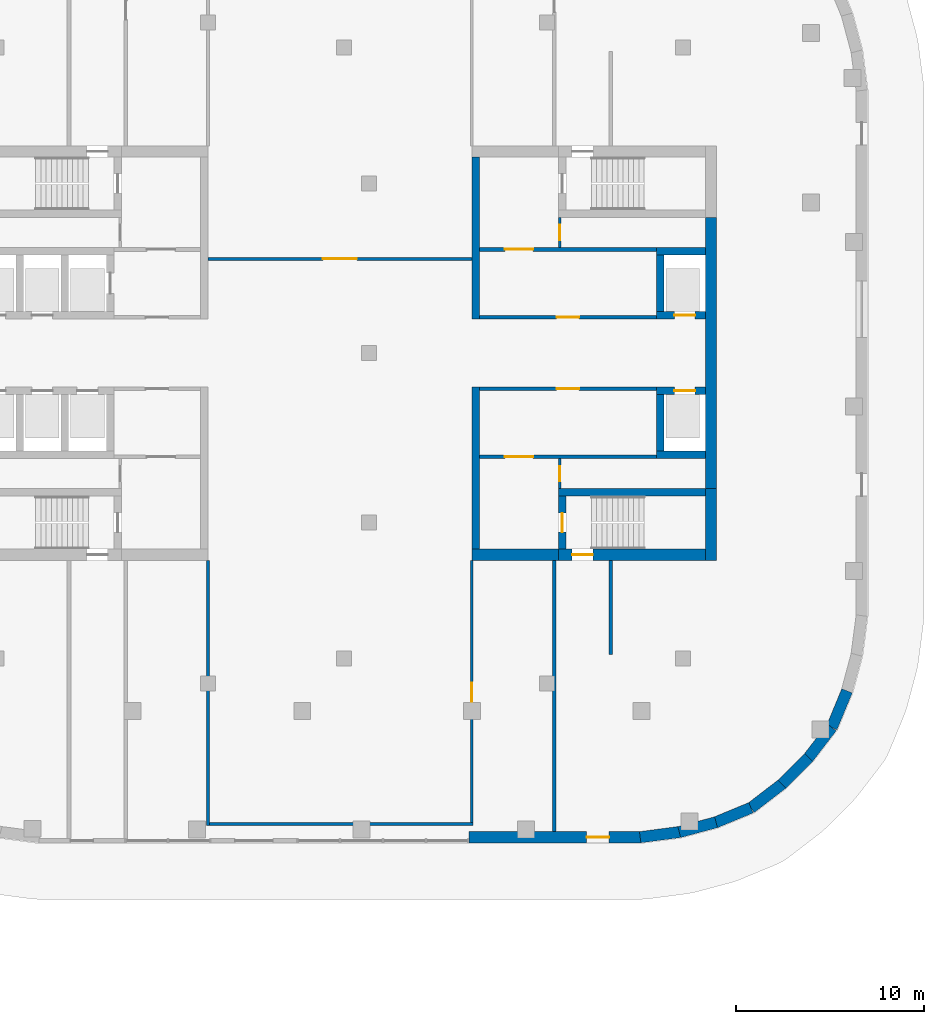
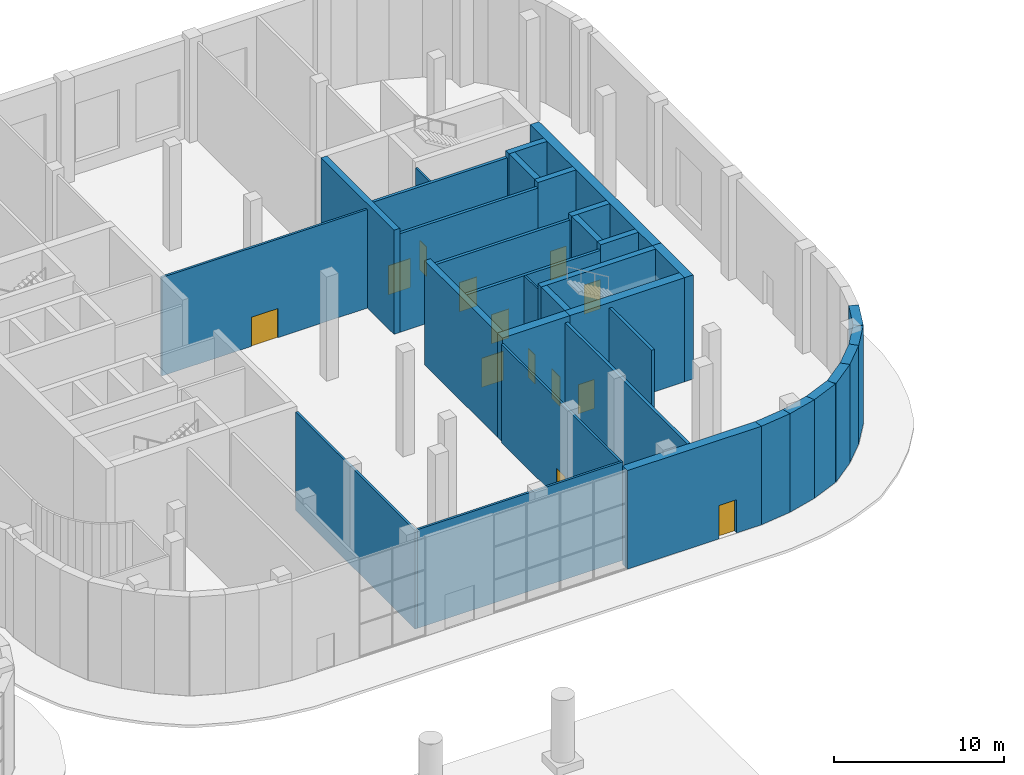
# One storey, part 21 of 30: 34 walls, 13 doors, 13 openings.
"""IFC4 building model written with IfcOpenShell, lengths in metres."""

from ifc_helpers import new_model, si_unit, direction, frame, frame_2d, origin, place, context, subcontext, project, spatial, rectangle, extrude, material, layer, layer_set, type_object, element, fill, save


model = new_model("IFC4")

# Units and contexts
model_context = context("Model", 3, precision=1e-05, world=origin(), true_north=direction((0.0, 1.0)))
body_context = subcontext(model_context, "Body", "Model", "MODEL_VIEW")
ifc_project = project(units=[si_unit("LENGTHUNIT", "METRE"), si_unit("AREAUNIT", "SQUARE_METRE"), si_unit("VOLUMEUNIT", "CUBIC_METRE"), si_unit("PLANEANGLEUNIT", "RADIAN"), si_unit("MASSUNIT", "GRAM", prefix="KILO")], contexts=[model_context])

# Site, building, storey
site_placement = place(None, origin())
site = spatial("IfcSite", under=ifc_project, at=site_placement, CompositionType="ELEMENT")
building_placement = place(site_placement, origin())
building = spatial("IfcBuilding", under=site, at=building_placement, Name="Skarvind Civic Tower", CompositionType="ELEMENT")
storey_placement = place(building_placement, origin())
storey = spatial("IfcBuildingStorey", under=building, at=storey_placement, Name="L00", CompositionType="ELEMENT", Elevation=0.0)

# Wall, opening, door
ifc_material_1 = material(Name="Fire-rated masonry partition", Category="masonry")
ifc_layer_1 = layer(ifc_material_1, 0.199951171875)
ifc_layer_set_1 = layer_set([ifc_layer_1], Name="Core enclosure wall 200")
wall_type_1 = type_object("IfcWallType", Name="Core enclosure wall 200", PredefinedType="PARTITIONING", material=ifc_layer_set_1)
wall_1_placement = place(storey_placement, frame((163.800048828125, 126.10009765625, 0.0), z_axis=(0.0, 0.0, 1.0), x_axis=(-1.0, 0.0, 0.0)))
wall_1 = element("IfcWall", 1, at=wall_1_placement, inside=storey, type_object=wall_type_1, Name="Core wall CB", PredefinedType="PARTITIONING", context=body_context, shape_type="SweptSolid", body=[
    extrude(rectangle(XDim=9.400146484375, YDim=0.199951171875, at=frame_2d((4.7001953125, 0.0))), origin(), (0.0, 0.0, 1.0), 7.10009765625),
])
opening_1_placement = place(wall_1_placement, frame((4.10009765625, 0.0, 0.0)))
opening_1 = element("IfcOpeningElement", 2, at=opening_1_placement, cuts=wall_1, Name="Opening D-L00-CB-03", PredefinedType="OPENING", context=body_context, shape_type="SweptSolid", body=[
    extrude(rectangle(XDim=1.199951171875, YDim=2.10009765625, at=frame_2d((0.60009765625, 1.050048828125))), frame((0.0, 0.10986328125, 0.0), z_axis=(0.0, -1.0, 0.0), x_axis=(1.0, 0.0, 0.0)), (0.0, 0.0, 1.0), 0.219970703125),
])
ifc_material_2 = material(Name="Fire-rated steel door", Category="steel")
door_type_1 = type_object("IfcDoorType", Name="Core lobby door 1200", OperationType="NOTDEFINED", PredefinedType="DOOR", material=ifc_material_2)
door_1_placement = place(opening_1_placement, origin())
door_1 = element("IfcDoor", 3, at=door_1_placement, inside=storey, type_object=door_type_1, Name="Fire door", OperationType="DOUBLE_DOOR_SINGLE_SWING", OverallHeight=2.10009765625, OverallWidth=1.199951171875, PredefinedType="DOOR", context=body_context, shape_type="SweptSolid", body=[
    extrude(rectangle(XDim=1.199951171875, YDim=2.10009765625, at=frame_2d((0.60009765625, 1.050048828125))), frame((0.0, 0.02490234375, 0.0), z_axis=(0.0, -1.0, 0.0), x_axis=(1.0, 0.0, 0.0)), (0.0, 0.0, 1.0), 0.050048828125),
])
fill(opening_1, door_1)

wall_2_placement = place(storey_placement, frame((163.800048828125, 122.5, 0.0), z_axis=(0.0, 0.0, 1.0), x_axis=(-1.0, 0.0, 0.0)))
wall_2 = element("IfcWall", 4, at=wall_2_placement, inside=storey, type_object=wall_type_1, Name="Core wall CB", PredefinedType="PARTITIONING", context=body_context, shape_type="SweptSolid", body=[
    extrude(rectangle(XDim=9.400146484375, YDim=0.199951171875, at=frame_2d((4.7001953125, 0.0))), origin(), (0.0, 0.0, 1.0), 7.10009765625),
])
opening_2_placement = place(wall_2_placement, frame((6.550048828125, 0.0, 0.0)))
opening_2 = element("IfcOpeningElement", 5, at=opening_2_placement, cuts=wall_2, Name="Opening D-L00-CB-04", PredefinedType="OPENING", context=body_context, shape_type="SweptSolid", body=[
    extrude(rectangle(XDim=1.5, YDim=2.10009765625, at=frame_2d((0.75, 1.050048828125))), frame((0.0, 0.10986328125, 0.0), z_axis=(0.0, -1.0, 0.0), x_axis=(1.0, 0.0, 0.0)), (0.0, 0.0, 1.0), 0.219970703125),
])
door_type_2 = type_object("IfcDoorType", Name="Fire door 1500", OperationType="NOTDEFINED", PredefinedType="DOOR", material=ifc_material_2)
door_2_placement = place(opening_2_placement, origin())
door_2 = element("IfcDoor", 6, at=door_2_placement, inside=storey, type_object=door_type_2, Name="Fire door", OperationType="DOUBLE_DOOR_SINGLE_SWING", OverallHeight=2.10009765625, OverallWidth=1.5, PredefinedType="DOOR", context=body_context, shape_type="SweptSolid", body=[
    extrude(rectangle(XDim=1.5, YDim=2.10009765625, at=frame_2d((0.75, 1.050048828125))), frame((0.0, 0.02490234375, 0.0), z_axis=(0.0, -1.0, 0.0), x_axis=(1.0, 0.0, 0.0)), (0.0, 0.0, 1.0), 0.050048828125),
])
fill(opening_2, door_2)

wall_3_placement = place(storey_placement, frame((154.39990234375, 129.89990234375, 0.0), z_axis=(0.0, 0.0, 1.0), x_axis=(1.0, 0.0, 0.0)))
wall_3 = element("IfcWall", 7, at=wall_3_placement, inside=storey, type_object=wall_type_1, Name="Core wall CB", PredefinedType="PARTITIONING", context=body_context, shape_type="SweptSolid", body=[
    extrude(rectangle(XDim=9.400146484375, YDim=0.199951171875, at=frame_2d((4.7001953125, 0.0))), origin(), (0.0, 0.0, 1.0), 7.10009765625),
])
opening_3_placement = place(wall_3_placement, frame((4.10009765625, 0.0, 0.0)))
opening_3 = element("IfcOpeningElement", 8, at=opening_3_placement, cuts=wall_3, Name="Opening D-L00-CB-07", PredefinedType="OPENING", context=body_context, shape_type="SweptSolid", body=[
    extrude(rectangle(XDim=1.199951171875, YDim=2.10009765625, at=frame_2d((0.60009765625, 1.050048828125))), frame((0.0, 0.10986328125, 0.0), z_axis=(0.0, -1.0, 0.0), x_axis=(1.0, 0.0, 0.0)), (0.0, 0.0, 1.0), 0.219970703125),
])
door_3_placement = place(opening_3_placement, origin())
door_3 = element("IfcDoor", 9, at=door_3_placement, inside=storey, type_object=door_type_1, Name="Fire door", OperationType="DOUBLE_DOOR_SINGLE_SWING", OverallHeight=2.10009765625, OverallWidth=1.199951171875, PredefinedType="DOOR", context=body_context, shape_type="SweptSolid", body=[
    extrude(rectangle(XDim=1.199951171875, YDim=2.10009765625, at=frame_2d((0.60009765625, 1.050048828125))), frame((0.0, 0.02490234375, 0.0), z_axis=(0.0, -1.0, 0.0), x_axis=(1.0, 0.0, 0.0)), (0.0, 0.0, 1.0), 0.050048828125),
])
fill(opening_3, door_3)

wall_4_placement = place(storey_placement, frame((154.39990234375, 133.5, 0.0), z_axis=(0.0, 0.0, 1.0), x_axis=(1.0, 0.0, 0.0)))
wall_4 = element("IfcWall", 10, at=wall_4_placement, inside=storey, type_object=wall_type_1, Name="Core wall CB", PredefinedType="PARTITIONING", context=body_context, shape_type="SweptSolid", body=[
    extrude(rectangle(XDim=9.400146484375, YDim=0.199951171875, at=frame_2d((4.7001953125, 0.0))), origin(), (0.0, 0.0, 1.0), 7.10009765625),
])
opening_4_placement = place(wall_4_placement, frame((1.35009765625, 0.0, 0.0)))
opening_4 = element("IfcOpeningElement", 11, at=opening_4_placement, cuts=wall_4, Name="Opening D-L00-CB-08", PredefinedType="OPENING", context=body_context, shape_type="SweptSolid", body=[
    extrude(rectangle(XDim=1.5, YDim=2.10009765625, at=frame_2d((0.75, 1.050048828125))), frame((0.0, 0.10986328125, 0.0), z_axis=(0.0, -1.0, 0.0), x_axis=(1.0, 0.0, 0.0)), (0.0, 0.0, 1.0), 0.219970703125),
])
door_4_placement = place(opening_4_placement, origin())
door_4 = element("IfcDoor", 12, at=door_4_placement, inside=storey, type_object=door_type_2, Name="Fire door", OperationType="DOUBLE_DOOR_SINGLE_SWING", OverallHeight=2.10009765625, OverallWidth=1.5, PredefinedType="DOOR", context=body_context, shape_type="SweptSolid", body=[
    extrude(rectangle(XDim=1.5, YDim=2.10009765625, at=frame_2d((0.75, 1.050048828125))), frame((0.0, 0.02490234375, 0.0), z_axis=(0.0, -1.0, 0.0), x_axis=(1.0, 0.0, 0.0)), (0.0, 0.0, 1.0), 0.050048828125),
])
fill(opening_4, door_4)

# Wall
ifc_material_3 = material(Name="Concrete C80", Category="concrete")
ifc_layer_2 = layer(ifc_material_3, 0.39990234375)
ifc_layer_set_2 = layer_set([ifc_layer_2], Name="Core wall 400 C80")
wall_type_2 = type_object("IfcWallType", Name="Core wall 400 C80", PredefinedType="SHEAR", material=ifc_layer_set_2)
wall_5_placement = place(storey_placement, frame((166.39990234375, 120.60009765625, 0.0), z_axis=(0.0, 0.0, 1.0), x_axis=(-1.0, 0.0, 0.0)))
element("IfcWall", 13, at=wall_5_placement, inside=storey, type_object=wall_type_2, Name="Core wall CB north stair inner L00", PredefinedType="SHEAR", context=body_context, shape_type="SweptSolid", body=[
    extrude(rectangle(XDim=7.7998046875, YDim=0.39990234375, at=frame_2d((3.89990234375, 0.0))), origin(), (0.0, 0.0, 1.0), 7.5),
])

# Wall, opening, door
wall_6_placement = place(storey_placement, frame((158.800048828125, 120.39990234375, 0.0), z_axis=(0.0, 0.0, 1.0), x_axis=(0.0, -1.0, 0.0)))
wall_6 = element("IfcWall", 14, at=wall_6_placement, inside=storey, type_object=wall_type_2, Name="Core wall CB north stair end L00", PredefinedType="SHEAR", context=body_context, shape_type="SweptSolid", body=[
    extrude(rectangle(XDim=2.7998046875, YDim=0.39990234375, at=frame_2d((1.39990234375, 0.0))), origin(), (0.0, 0.0, 1.0), 7.5),
])
opening_5_placement = place(wall_6_placement, frame((0.89990234375, 0.0, 0.0)))
opening_5 = element("IfcOpeningElement", 15, at=opening_5_placement, cuts=wall_6, Name="Opening D-L00-CB-05", PredefinedType="OPENING", context=body_context, shape_type="SweptSolid", body=[
    extrude(rectangle(XDim=1.0, YDim=2.10009765625, at=frame_2d((0.5, 1.050048828125))), frame((0.0, 0.2099609375, 0.0), z_axis=(0.0, -1.0, 0.0), x_axis=(1.0, 0.0, 0.0)), (0.0, 0.0, 1.0), 0.419921875),
])
door_type_3 = type_object("IfcDoorType", Name="Fire door 1000", OperationType="NOTDEFINED", PredefinedType="DOOR", material=ifc_material_2)
door_5_placement = place(opening_5_placement, origin())
door_5 = element("IfcDoor", 16, at=door_5_placement, inside=storey, type_object=door_type_3, Name="Fire door", OperationType="SINGLE_SWING_LEFT", OverallHeight=2.10009765625, OverallWidth=1.0, PredefinedType="DOOR", context=body_context, shape_type="SweptSolid", body=[
    extrude(rectangle(XDim=1.0, YDim=2.10009765625, at=frame_2d((0.5, 1.050048828125))), frame((0.0, 0.02490234375, 0.0), z_axis=(0.0, -1.0, 0.0), x_axis=(1.0, 0.0, 0.0)), (0.0, 0.0, 1.0), 0.050048828125),
])
fill(opening_5, door_5)

wall_7_placement = place(storey_placement, frame((166.39990234375, 130.0, 0.0), z_axis=(0.0, 0.0, 1.0), x_axis=(-1.0, 0.0, 0.0)))
wall_7 = element("IfcWall", 17, at=wall_7_placement, inside=storey, type_object=wall_type_2, Name="Core wall CB south lift row front L00", PredefinedType="SHEAR", context=body_context, shape_type="SweptSolid", body=[
    extrude(rectangle(XDim=2.599853515625, YDim=0.39990234375, at=frame_2d((1.2998046875, 0.0))), origin(), (0.0, 0.0, 1.0), 7.5),
])
opening_6_placement = place(wall_7_placement, frame((0.550048828125, 0.0, 0.0)))
opening_6 = element("IfcOpeningElement", 18, at=opening_6_placement, cuts=wall_7, Name="Opening LD02402", PredefinedType="OPENING", context=body_context, shape_type="SweptSolid", body=[
    extrude(rectangle(XDim=1.10009765625, YDim=2.10009765625, at=frame_2d((0.550048828125, 1.050048828125))), frame((0.0, 0.2099609375, 0.0), z_axis=(0.0, -1.0, 0.0), x_axis=(1.0, 0.0, 0.0)), (0.0, 0.0, 1.0), 0.419921875),
])
ifc_material_4 = material(Name="Stainless steel landing door", Category="steel")
door_type_4 = type_object("IfcDoorType", Name="Lift landing door 1100", OperationType="DOUBLE_DOOR_SLIDING", PredefinedType="DOOR", material=ifc_material_4)
door_6_placement = place(opening_6_placement, origin())
door_6 = element("IfcDoor", 19, at=door_6_placement, inside=storey, type_object=door_type_4, Name="Lift landing door", OperationType="DOUBLE_DOOR_SLIDING", OverallHeight=2.10009765625, OverallWidth=1.10009765625, PredefinedType="DOOR", context=body_context, shape_type="SweptSolid", body=[
    extrude(rectangle(XDim=1.10009765625, YDim=2.10009765625, at=frame_2d((0.550048828125, 1.050048828125))), frame((0.0, 0.02490234375, 0.0), z_axis=(0.0, -1.0, 0.0), x_axis=(1.0, 0.0, 0.0)), (0.0, 0.0, 1.0), 0.050048828125),
])
fill(opening_6, door_6)

# Walls
wall_8_placement = place(storey_placement, frame((166.39990234375, 133.39990234375, 0.0), z_axis=(0.0, 0.0, 1.0), x_axis=(-1.0, 0.0, 0.0)))
element("IfcWall", 20, at=wall_8_placement, inside=storey, type_object=wall_type_2, Name="Core wall CB south lift row back L00", PredefinedType="SHEAR", context=body_context, shape_type="SweptSolid", body=[
    extrude(rectangle(XDim=2.599853515625, YDim=0.39990234375, at=frame_2d((1.2998046875, 0.0))), origin(), (0.0, 0.0, 1.0), 7.5),
])
wall_9_placement = place(storey_placement, frame((164.0, 133.199951171875, 0.0), z_axis=(0.0, 0.0, 1.0), x_axis=(0.0, -1.0, 0.0)))
element("IfcWall", 21, at=wall_9_placement, inside=storey, type_object=wall_type_2, Name="Core wall CB south lift row division 1 L00", PredefinedType="SHEAR", context=body_context, shape_type="SweptSolid", body=[
    extrude(rectangle(XDim=3.0, YDim=0.39990234375, at=frame_2d((1.5, 0.0))), origin(), (0.0, 0.0, 1.0), 7.5),
])

# Wall, opening, door
wall_10_placement = place(storey_placement, frame((166.39990234375, 126.0, 0.0), z_axis=(0.0, 0.0, 1.0), x_axis=(-1.0, 0.0, 0.0)))
wall_10 = element("IfcWall", 22, at=wall_10_placement, inside=storey, type_object=wall_type_2, Name="Core wall CB north lift row front L00", PredefinedType="SHEAR", context=body_context, shape_type="SweptSolid", body=[
    extrude(rectangle(XDim=2.599853515625, YDim=0.39990234375, at=frame_2d((1.2998046875, 0.0))), origin(), (0.0, 0.0, 1.0), 7.5),
])
opening_7_placement = place(wall_10_placement, frame((0.550048828125, 0.0, 0.0)))
opening_7 = element("IfcOpeningElement", 23, at=opening_7_placement, cuts=wall_10, Name="Opening LD02401", PredefinedType="OPENING", context=body_context, shape_type="SweptSolid", body=[
    extrude(rectangle(XDim=1.10009765625, YDim=2.10009765625, at=frame_2d((0.550048828125, 1.050048828125))), frame((0.0, 0.2099609375, 0.0), z_axis=(0.0, -1.0, 0.0), x_axis=(1.0, 0.0, 0.0)), (0.0, 0.0, 1.0), 0.419921875),
])
door_7_placement = place(opening_7_placement, origin())
door_7 = element("IfcDoor", 24, at=door_7_placement, inside=storey, type_object=door_type_4, Name="Lift landing door", OperationType="DOUBLE_DOOR_SLIDING", OverallHeight=2.10009765625, OverallWidth=1.10009765625, PredefinedType="DOOR", context=body_context, shape_type="SweptSolid", body=[
    extrude(rectangle(XDim=1.10009765625, YDim=2.10009765625, at=frame_2d((0.550048828125, 1.050048828125))), frame((0.0, 0.02490234375, 0.0), z_axis=(0.0, -1.0, 0.0), x_axis=(1.0, 0.0, 0.0)), (0.0, 0.0, 1.0), 0.050048828125),
])
fill(opening_7, door_7)

# Walls
wall_11_placement = place(storey_placement, frame((166.39990234375, 122.60009765625, 0.0), z_axis=(0.0, 0.0, 1.0), x_axis=(-1.0, 0.0, 0.0)))
element("IfcWall", 25, at=wall_11_placement, inside=storey, type_object=wall_type_2, Name="Core wall CB north lift row back L00", PredefinedType="SHEAR", context=body_context, shape_type="SweptSolid", body=[
    extrude(rectangle(XDim=2.599853515625, YDim=0.39990234375, at=frame_2d((1.2998046875, 0.0))), origin(), (0.0, 0.0, 1.0), 7.5),
])
wall_12_placement = place(storey_placement, frame((164.0, 125.800048828125, 0.0), z_axis=(0.0, 0.0, 1.0), x_axis=(0.0, -1.0, 0.0)))
element("IfcWall", 26, at=wall_12_placement, inside=storey, type_object=wall_type_2, Name="Core wall CB north lift row division 1 L00", PredefinedType="SHEAR", context=body_context, shape_type="SweptSolid", body=[
    extrude(rectangle(XDim=3.0, YDim=0.39990234375, at=frame_2d((1.5, 0.0))), origin(), (0.0, 0.0, 1.0), 7.5),
])
for number, where, z_axis, x_axis, name in (
    (27, (154.199951171875, 138.39990234375, 0.0), (0.0, 0.0, 1.0), (0.0, -1.0, 0.0), "Core wall CB south inner face L00"),
    (28, (154.199951171875, 126.199951171875, 0.0), (0.0, 0.0, 1.0), (0.0, -1.0, 0.0), "Core wall CB north inner face L00"),
):
    element("IfcWall", number, at=place(storey_placement, frame(where, z_axis=z_axis, x_axis=x_axis)), inside=storey, type_object=wall_type_2, Name=name, PredefinedType="SHEAR", context=body_context, shape_type="SweptSolid", body=[
        extrude(rectangle(XDim=8.599853515625, YDim=0.39990234375, at=frame_2d((4.2998046875, 0.0))), origin(), (0.0, 0.0, 1.0), 7.5),
    ])
ifc_layer_3 = layer(ifc_material_3, 0.60009765625)
ifc_layer_set_3 = layer_set([ifc_layer_3], Name="Core wall 600 C80")
wall_type_3 = type_object("IfcWallType", Name="Core wall 600 C80", PredefinedType="SHEAR", material=ifc_layer_set_3)
wall_13_placement = place(storey_placement, frame((166.699951171875, 135.199951171875, 0.0), z_axis=(0.0, 0.0, 1.0), x_axis=(0.0, -1.0, 0.0)))
element("IfcWall", 29, at=wall_13_placement, inside=storey, type_object=wall_type_3, Name="Core wall CB tip between the stairs L00", PredefinedType="SHEAR", context=body_context, shape_type="SweptSolid", body=[
    extrude(rectangle(XDim=14.39990234375, YDim=0.60009765625, at=frame_2d((7.199951171875, 0.0))), origin(), (0.0, 0.0, 1.0), 7.5),
])
wall_14_placement = place(storey_placement, frame((166.699951171875, 120.800048828125, 0.0), z_axis=(0.0, 0.0, 1.0), x_axis=(0.0, -1.0, 0.0)))
element("IfcWall", 30, at=wall_14_placement, inside=storey, type_object=wall_type_3, Name="Core wall CB tip at the north stair L00", PredefinedType="SHEAR", context=body_context, shape_type="SweptSolid", body=[
    extrude(rectangle(XDim=3.800048828125, YDim=0.60009765625, at=frame_2d((1.89990234375, 0.0))), origin(), (0.0, 0.0, 1.0), 7.5),
])

# Wall, opening, door
wall_15_placement = place(storey_placement, frame((166.39990234375, 117.300048828125, 0.0), z_axis=(0.0, 0.0, 1.0), x_axis=(-1.0, 0.0, 0.0)))
wall_15 = element("IfcWall", 31, at=wall_15_placement, inside=storey, type_object=wall_type_3, Name="Core wall CB north side at the stair L00", PredefinedType="SHEAR", context=body_context, shape_type="SweptSolid", body=[
    extrude(rectangle(XDim=7.7998046875, YDim=0.60009765625, at=frame_2d((3.89990234375, 0.0))), origin(), (0.0, 0.0, 1.0), 7.5),
])
opening_8_placement = place(wall_15_placement, frame((5.97509765625, 0.0, 0.0)))
opening_8 = element("IfcOpeningElement", 32, at=opening_8_placement, cuts=wall_15, Name="Opening D-L00-CB-12", PredefinedType="OPENING", context=body_context, shape_type="SweptSolid", body=[
    extrude(rectangle(XDim=1.10009765625, YDim=2.10009765625, at=frame_2d((0.550048828125, 1.050048828125))), frame((0.0, 0.31005859375, 0.0), z_axis=(0.0, -1.0, 0.0), x_axis=(1.0, 0.0, 0.0)), (0.0, 0.0, 1.0), 0.6201171875),
])
door_type_5 = type_object("IfcDoorType", Name="Fire door 1100", OperationType="NOTDEFINED", PredefinedType="DOOR", material=ifc_material_2)
door_8_placement = place(opening_8_placement, origin())
door_8 = element("IfcDoor", 33, at=door_8_placement, inside=storey, type_object=door_type_5, Name="Stair exit door", OperationType="SINGLE_SWING_LEFT", OverallHeight=2.10009765625, OverallWidth=1.10009765625, PredefinedType="DOOR", context=body_context, shape_type="SweptSolid", body=[
    extrude(rectangle(XDim=1.10009765625, YDim=2.10009765625, at=frame_2d((0.550048828125, 1.050048828125))), frame((0.0, 0.02490234375, 0.0), z_axis=(0.0, -1.0, 0.0), x_axis=(1.0, 0.0, 0.0)), (0.0, 0.0, 1.0), 0.050048828125),
])
fill(opening_8, door_8)

# Walls
wall_16_placement = place(storey_placement, frame((158.60009765625, 117.300048828125, 0.0), z_axis=(0.0, 0.0, 1.0), x_axis=(-1.0, 0.0, 0.0)))
element("IfcWall", 34, at=wall_16_placement, inside=storey, type_object=wall_type_3, Name="Core wall CB north side L00", PredefinedType="SHEAR", context=body_context, shape_type="SweptSolid", body=[
    extrude(rectangle(XDim=4.60009765625, YDim=0.60009765625, at=frame_2d((2.300048828125, 0.0))), origin(), (0.0, 0.0, 1.0), 7.5),
])
ifc_material_5 = material(Name="Fire-rated blockwork wall, plastered", Category="masonry")
ifc_layer_4 = layer(ifc_material_5, 0.199951171875)
ifc_layer_set_4 = layer_set([ifc_layer_4], Name="FIRE WALL 200 EI 120")
wall_type_4 = type_object("IfcWallType", Name="FIRE WALL 200 EI 120", PredefinedType="PARTITIONING", material=ifc_layer_set_4)
wall_17_placement = place(storey_placement, frame((158.375, 102.60009765625, 0.0), z_axis=(0.0, 0.0, 1.0), x_axis=(0.0, 1.0, 0.0)))
element("IfcWall", 35, at=wall_17_placement, inside=storey, type_object=wall_type_4, Name="Podium partition L00 213", PredefinedType="PARTITIONING", context=body_context, shape_type="SweptSolid", body=[
    extrude(rectangle(XDim=14.39990234375, YDim=0.199951171875, at=frame_2d((7.199951171875, 0.0))), origin(), (0.0, 0.0, 1.0), 7.10009765625),
])
wall_18_placement = place(storey_placement, frame((161.375, 112.0, 0.0), z_axis=(0.0, 0.0, 1.0), x_axis=(0.0, 1.0, 0.0)))
element("IfcWall", 36, at=wall_18_placement, inside=storey, type_object=wall_type_4, Name="Podium partition L00 215", PredefinedType="PARTITIONING", context=body_context, shape_type="SweptSolid", body=[
    extrude(rectangle(XDim=5.0, YDim=0.199951171875, at=frame_2d((2.5, 0.0))), origin(), (0.0, 0.0, 1.0), 7.10009765625),
])
ifc_material_6 = material(Name="Plasterboard partition on steel studs", Category="steel")
ifc_layer_5 = layer(ifc_material_6, 0.14990234375)
ifc_layer_set_5 = layer_set([ifc_layer_5], Name="PARTITION 150")
wall_type_5 = type_object("IfcWallType", Name="PARTITION 150", PredefinedType="PARTITIONING", material=ifc_layer_set_5)
wall_19_placement = place(storey_placement, frame((140.0, 102.925048828125, 0.0), z_axis=(0.0, 0.0, 1.0), x_axis=(0.0, 1.0, 0.0)))
element("IfcWall", 37, at=wall_19_placement, inside=storey, type_object=wall_type_5, Name="Podium partition L00 207", PredefinedType="PARTITIONING", context=body_context, shape_type="SweptSolid", body=[
    extrude(rectangle(XDim=14.074951171875, YDim=0.14990234375, at=frame_2d((7.03759765625, 0.0))), origin(), (0.0, 0.0, 1.0), 7.10009765625),
])
wall_20_placement = place(storey_placement, frame((140.074951171875, 103.0, 0.0), z_axis=(0.0, 0.0, 1.0), x_axis=(1.0, 0.0, 0.0)))
element("IfcWall", 38, at=wall_20_placement, inside=storey, type_object=wall_type_5, Name="Podium partition L00 208", PredefinedType="PARTITIONING", context=body_context, shape_type="SweptSolid", body=[
    extrude(rectangle(XDim=14.0, YDim=0.14990234375, at=frame_2d((7.0, 0.0))), origin(), (0.0, 0.0, 1.0), 7.10009765625),
])

# Wall, opening, door
wall_21_placement = place(storey_placement, frame((140.0, 133.0, 0.0), z_axis=(0.0, 0.0, 1.0), x_axis=(1.0, 0.0, 0.0)))
wall_21 = element("IfcWall", 39, at=wall_21_placement, inside=storey, type_object=wall_type_5, Name="Podium partition L00 209", PredefinedType="PARTITIONING", context=body_context, shape_type="SweptSolid", body=[
    extrude(rectangle(XDim=14.0, YDim=0.14990234375, at=frame_2d((7.0, 0.0))), origin(), (0.0, 0.0, 1.0), 7.10009765625),
])
opening_9_placement = place(wall_21_placement, frame((6.10009765625, 0.0, 0.0)))
opening_9 = element("IfcOpeningElement", 40, at=opening_9_placement, cuts=wall_21, Name="Opening L00-D234", PredefinedType="OPENING", context=body_context, shape_type="SweptSolid", body=[
    extrude(rectangle(XDim=1.800048828125, YDim=2.10009765625, at=frame_2d((0.89990234375, 1.050048828125))), frame((0.0, 0.0849609375, 0.0), z_axis=(0.0, -1.0, 0.0), x_axis=(1.0, 0.0, 0.0)), (0.0, 0.0, 1.0), 0.169921875),
])
ifc_material_7 = material(Name="Timber veneer door leaf", Category="wood")
door_type_6 = type_object("IfcDoorType", Name="DOOR 1800X2100 DOUBLE TIMBER", OperationType="NOTDEFINED", PredefinedType="DOOR", material=ifc_material_7)
door_9_placement = place(opening_9_placement, origin())
door_9 = element("IfcDoor", 41, at=door_9_placement, inside=storey, type_object=door_type_6, Name="DOOR DOOR", OperationType="DOUBLE_DOOR_SINGLE_SWING", OverallHeight=2.10009765625, OverallWidth=1.800048828125, PredefinedType="DOOR", context=body_context, shape_type="SweptSolid", body=[
    extrude(rectangle(XDim=1.800048828125, YDim=2.10009765625, at=frame_2d((0.89990234375, 1.050048828125))), frame((0.0, 0.02490234375, 0.0), z_axis=(0.0, -1.0, 0.0), x_axis=(1.0, 0.0, 0.0)), (0.0, 0.0, 1.0), 0.050048828125),
])
fill(opening_9, door_9)

wall_22_placement = place(storey_placement, frame((154.0, 117.0, 0.0), z_axis=(0.0, 0.0, 1.0), x_axis=(0.0, -1.0, 0.0)))
wall_22 = element("IfcWall", 42, at=wall_22_placement, inside=storey, type_object=wall_type_5, Name="Podium partition L00 211", PredefinedType="PARTITIONING", context=body_context, shape_type="SweptSolid", body=[
    extrude(rectangle(XDim=13.925048828125, YDim=0.14990234375, at=frame_2d((6.96240234375, 0.0))), origin(), (0.0, 0.0, 1.0), 7.10009765625),
])
opening_10_placement = place(wall_22_placement, frame((6.5, 0.0, 0.0)))
opening_10 = element("IfcOpeningElement", 43, at=opening_10_placement, cuts=wall_22, Name="Opening L00-D235", PredefinedType="OPENING", context=body_context, shape_type="SweptSolid", body=[
    extrude(rectangle(XDim=1.0, YDim=2.10009765625, at=frame_2d((0.5, 1.050048828125))), frame((0.0, 0.0849609375, 0.0), z_axis=(0.0, -1.0, 0.0), x_axis=(1.0, 0.0, 0.0)), (0.0, 0.0, 1.0), 0.169921875),
])
door_type_7 = type_object("IfcDoorType", Name="DOOR 1000X2100 TIMBER", OperationType="NOTDEFINED", PredefinedType="DOOR", material=ifc_material_7)
door_10_placement = place(opening_10_placement, origin())
door_10 = element("IfcDoor", 44, at=door_10_placement, inside=storey, type_object=door_type_7, Name="DOOR DOOR", OperationType="SINGLE_SWING_RIGHT", OverallHeight=2.10009765625, OverallWidth=1.0, PredefinedType="DOOR", context=body_context, shape_type="SweptSolid", body=[
    extrude(rectangle(XDim=1.0, YDim=2.10009765625, at=frame_2d((0.5, 1.050048828125))), frame((0.0, 0.02490234375, 0.0), z_axis=(0.0, -1.0, 0.0), x_axis=(1.0, 0.0, 0.0)), (0.0, 0.0, 1.0), 0.050048828125),
])
fill(opening_10, door_10)

ifc_layer_6 = layer(ifc_material_1, 0.125)
ifc_layer_set_6 = layer_set([ifc_layer_6], Name="Riser wall 125")
wall_type_6 = type_object("IfcWallType", Name="Riser wall 125", PredefinedType="PARTITIONING", material=ifc_layer_set_6)
wall_23_placement = place(storey_placement, frame((158.66259765625, 120.800048828125, 0.0), z_axis=(0.0, 0.0, 1.0), x_axis=(0.0, 1.0, 0.0)))
wall_23 = element("IfcWall", 45, at=wall_23_placement, inside=storey, type_object=wall_type_6, Name="Core wall CB", PredefinedType="PARTITIONING", context=body_context, shape_type="SweptSolid", body=[
    extrude(rectangle(XDim=1.599853515625, YDim=0.125, at=frame_2d((0.7998046875, 0.0))), origin(), (0.0, 0.0, 1.0), 7.10009765625),
])
opening_11_placement = place(wall_23_placement, frame((0.39990234375, 0.0, 0.0)))
opening_11 = element("IfcOpeningElement", 46, at=opening_11_placement, cuts=wall_23, Name="Opening D-L00-CB-06", PredefinedType="OPENING", context=body_context, shape_type="SweptSolid", body=[
    extrude(rectangle(XDim=0.800048828125, YDim=2.10009765625, at=frame_2d((0.39990234375, 1.050048828125))), frame((0.0, 0.072509765625, 0.0), z_axis=(0.0, -1.0, 0.0), x_axis=(1.0, 0.0, 0.0)), (0.0, 0.0, 1.0), 0.14501953125),
])
door_type_8 = type_object("IfcDoorType", Name="Core riser door 800", OperationType="NOTDEFINED", PredefinedType="DOOR", material=ifc_material_2)
door_11_placement = place(opening_11_placement, origin())
door_11 = element("IfcDoor", 47, at=door_11_placement, inside=storey, type_object=door_type_8, Name="Riser door", OperationType="SINGLE_SWING_RIGHT", OverallHeight=2.10009765625, OverallWidth=0.800048828125, PredefinedType="DOOR", context=body_context, shape_type="SweptSolid", body=[
    extrude(rectangle(XDim=0.800048828125, YDim=2.10009765625, at=frame_2d((0.39990234375, 1.050048828125))), frame((0.0, 0.02490234375, 0.0), z_axis=(0.0, -1.0, 0.0), x_axis=(1.0, 0.0, 0.0)), (0.0, 0.0, 1.0), 0.050048828125),
])
fill(opening_11, door_11)

wall_24_placement = place(storey_placement, frame((158.66259765625, 133.60009765625, 0.0), z_axis=(0.0, 0.0, 1.0), x_axis=(0.0, 1.0, 0.0)))
wall_24 = element("IfcWall", 48, at=wall_24_placement, inside=storey, type_object=wall_type_6, Name="Core wall CB", PredefinedType="PARTITIONING", context=body_context, shape_type="SweptSolid", body=[
    extrude(rectangle(XDim=1.599853515625, YDim=0.125, at=frame_2d((0.7998046875, 0.0))), origin(), (0.0, 0.0, 1.0), 7.10009765625),
])
opening_12_placement = place(wall_24_placement, frame((0.39990234375, 0.0, 0.0)))
opening_12 = element("IfcOpeningElement", 49, at=opening_12_placement, cuts=wall_24, Name="Opening D-L00-CB-10", PredefinedType="OPENING", context=body_context, shape_type="SweptSolid", body=[
    extrude(rectangle(XDim=0.800048828125, YDim=2.10009765625, at=frame_2d((0.39990234375, 1.050048828125))), frame((0.0, 0.072509765625, 0.0), z_axis=(0.0, -1.0, 0.0), x_axis=(1.0, 0.0, 0.0)), (0.0, 0.0, 1.0), 0.14501953125),
])
door_12_placement = place(opening_12_placement, origin())
door_12 = element("IfcDoor", 50, at=door_12_placement, inside=storey, type_object=door_type_8, Name="Riser door", OperationType="SINGLE_SWING_LEFT", OverallHeight=2.10009765625, OverallWidth=0.800048828125, PredefinedType="DOOR", context=body_context, shape_type="SweptSolid", body=[
    extrude(rectangle(XDim=0.800048828125, YDim=2.10009765625, at=frame_2d((0.39990234375, 1.050048828125))), frame((0.0, 0.02490234375, 0.0), z_axis=(0.0, -1.0, 0.0), x_axis=(1.0, 0.0, 0.0)), (0.0, 0.0, 1.0), 0.050048828125),
])
fill(opening_12, door_12)

# Walls
ifc_material_8 = material(Name="Limestone masonry cladding on insulated backing", Category="masonry")
ifc_layer_7 = layer(ifc_material_8, 0.60009765625)
ifc_layer_set_7 = layer_set([ifc_layer_7], Name="WX1 STONE FACADE WALL 600")
wall_type_7 = type_object("IfcWallType", Name="WX1 STONE FACADE WALL 600", PredefinedType="SOLIDWALL", material=ifc_layer_set_7)
wall_25_placement = place(storey_placement, frame((165.052490234375, 102.57568359375, 0.0), z_axis=(0.0, 0.0, 1.0), x_axis=(-0.991440646942, -0.130558200013, 0.0)))
element("IfcWall", 51, at=wall_25_placement, inside=storey, type_object=wall_type_7, Name="STONE FACADE WALL", PredefinedType="SOLIDWALL", context=body_context, shape_type="SweptSolid", body=[
    extrude(rectangle(XDim=2.1318359375, YDim=0.60009765625, at=frame_2d((1.06591796875, 0.0))), origin(), (0.0, 0.0, 1.0), 7.10009765625),
])
wall_26_placement = place(storey_placement, frame((166.967529296875, 103.091552734375, 0.0), z_axis=(0.0, 0.0, 1.0), x_axis=(-0.965929732323, -0.258804467146, 0.0)))
element("IfcWall", 52, at=wall_26_placement, inside=storey, type_object=wall_type_7, Name="STONE FACADE WALL", PredefinedType="SOLIDWALL", context=body_context, shape_type="SweptSolid", body=[
    extrude(rectangle(XDim=2.0224609375, YDim=0.60009765625, at=frame_2d((1.01123046875, 0.0))), origin(), (0.0, 0.0, 1.0), 7.10009765625),
])
wall_27_placement = place(storey_placement, frame((168.8193359375, 103.8603515625, 0.0), z_axis=(0.0, 0.0, 1.0), x_axis=(-0.924021197839, -0.382341242798, 0.0)))
element("IfcWall", 53, at=wall_27_placement, inside=storey, type_object=wall_type_7, Name="STONE FACADE WALL", PredefinedType="SOLIDWALL", context=body_context, shape_type="SweptSolid", body=[
    extrude(rectangle(XDim=2.0439453125, YDim=0.60009765625, at=frame_2d((1.02197265625, 0.0))), origin(), (0.0, 0.0, 1.0), 7.10009765625),
])
wall_28_placement = place(storey_placement, frame((170.49267578125, 105.135498046875, 0.0), z_axis=(0.0, 0.0, 1.0), x_axis=(-0.79313029079, -0.609052002567, 0.0)))
element("IfcWall", 54, at=wall_28_placement, inside=storey, type_object=wall_type_7, Name="STONE FACADE WALL", PredefinedType="SOLIDWALL", context=body_context, shape_type="SweptSolid", body=[
    extrude(rectangle(XDim=2.114013671875, YDim=0.60009765625, at=frame_2d((1.05712890625, 0.0))), origin(), (0.0, 0.0, 1.0), 7.10009765625),
])
wall_29_placement = place(storey_placement, frame((171.890380859375, 106.536865234375, 0.0), z_axis=(0.0, 0.0, 1.0), x_axis=(-0.707106781187, -0.707106781187, 0.0)))
element("IfcWall", 55, at=wall_29_placement, inside=storey, type_object=wall_type_7, Name="STONE FACADE WALL", PredefinedType="SOLIDWALL", context=body_context, shape_type="SweptSolid", body=[
    extrude(rectangle(XDim=2.018310546875, YDim=0.60009765625, at=frame_2d((1.00927734375, 0.0))), origin(), (0.0, 0.0, 1.0), 7.10009765625),
])
wall_30_placement = place(storey_placement, frame((173.109375, 108.12841796875, 0.0), z_axis=(0.0, 0.0, 1.0), x_axis=(-0.609058260448, -0.793125485267, 0.0)))
element("IfcWall", 56, at=wall_30_placement, inside=storey, type_object=wall_type_7, Name="STONE FACADE WALL", PredefinedType="SOLIDWALL", context=body_context, shape_type="SweptSolid", body=[
    extrude(rectangle(XDim=2.0439453125, YDim=0.60009765625, at=frame_2d((1.02197265625, 0.0))), origin(), (0.0, 0.0, 1.0), 7.10009765625),
])
wall_31_placement = place(storey_placement, frame((173.921142578125, 110.0693359375, 0.0), z_axis=(0.0, 0.0, 1.0), x_axis=(-0.382375593358, -0.924006983526, 0.0)))
element("IfcWall", 57, at=wall_31_placement, inside=storey, type_object=wall_type_7, Name="STONE FACADE WALL", PredefinedType="SOLIDWALL", context=body_context, shape_type="SweptSolid", body=[
    extrude(rectangle(XDim=2.114013671875, YDim=0.60009765625, at=frame_2d((1.05712890625, 0.0))), origin(), (0.0, 0.0, 1.0), 7.10009765625),
])

# Wall, opening, door
ifc_layer_8 = layer(ifc_material_8, 0.60009765625)
ifc_layer_set_8 = layer_set([ifc_layer_8], Name="WX1F FIRE-RATED STONE FACADE WALL 600")
wall_type_8 = type_object("IfcWallType", Name="WX1F FIRE-RATED STONE FACADE WALL 600", PredefinedType="SOLIDWALL", material=ifc_layer_set_8)
wall_32_placement = place(storey_placement, frame((162.978271484375, 102.300048828125, 0.0), z_axis=(0.0, 0.0, 1.0), x_axis=(-1.0, 0.0, 0.0)))
wall_32 = element("IfcWall", 58, at=wall_32_placement, inside=storey, type_object=wall_type_8, Name="STONE FACADE WALL", PredefinedType="SOLIDWALL", context=body_context, shape_type="SweptSolid", body=[
    extrude(rectangle(XDim=9.13037109375, YDim=0.60009765625, at=frame_2d((4.565185546875, 0.0))), origin(), (0.0, 0.0, 1.0), 7.10009765625),
])
opening_13_placement = place(wall_32_placement, frame((1.6826171875, 0.0, 0.0)))
opening_13 = element("IfcOpeningElement", 59, at=opening_13_placement, cuts=wall_32, Name="Opening DX2", PredefinedType="OPENING", context=body_context, shape_type="SweptSolid", body=[
    extrude(rectangle(XDim=1.199951171875, YDim=2.39990234375, at=frame_2d((0.60009765625, 1.199951171875))), frame((0.0, 0.31005859375, 0.0), z_axis=(0.0, -1.0, 0.0), x_axis=(1.0, 0.0, 0.0)), (0.0, 0.0, 1.0), 0.6201171875),
])
ifc_material_9 = material(Name="Timber and glass doorset", Category="wood")
door_type_9 = type_object("IfcDoorType", Name="DX2 EXIT DOOR 1200 x 2400", OperationType="NOTDEFINED", PredefinedType="DOOR", material=ifc_material_9)
door_13_placement = place(opening_13_placement, origin())
door_13 = element("IfcDoor", 60, at=door_13_placement, inside=storey, type_object=door_type_9, Name="EXIT DOOR", OperationType="SINGLE_SWING_LEFT", OverallHeight=2.39990234375, OverallWidth=1.199951171875, PredefinedType="DOOR", context=body_context, shape_type="SweptSolid", body=[
    extrude(rectangle(XDim=1.199951171875, YDim=2.39990234375, at=frame_2d((0.60009765625, 1.199951171875))), frame((0.0, 0.02490234375, 0.0), z_axis=(0.0, -1.0, 0.0), x_axis=(1.0, 0.0, 0.0)), (0.0, 0.0, 1.0), 0.050048828125),
])
fill(opening_13, door_13)

save(model, "model.ifc")
